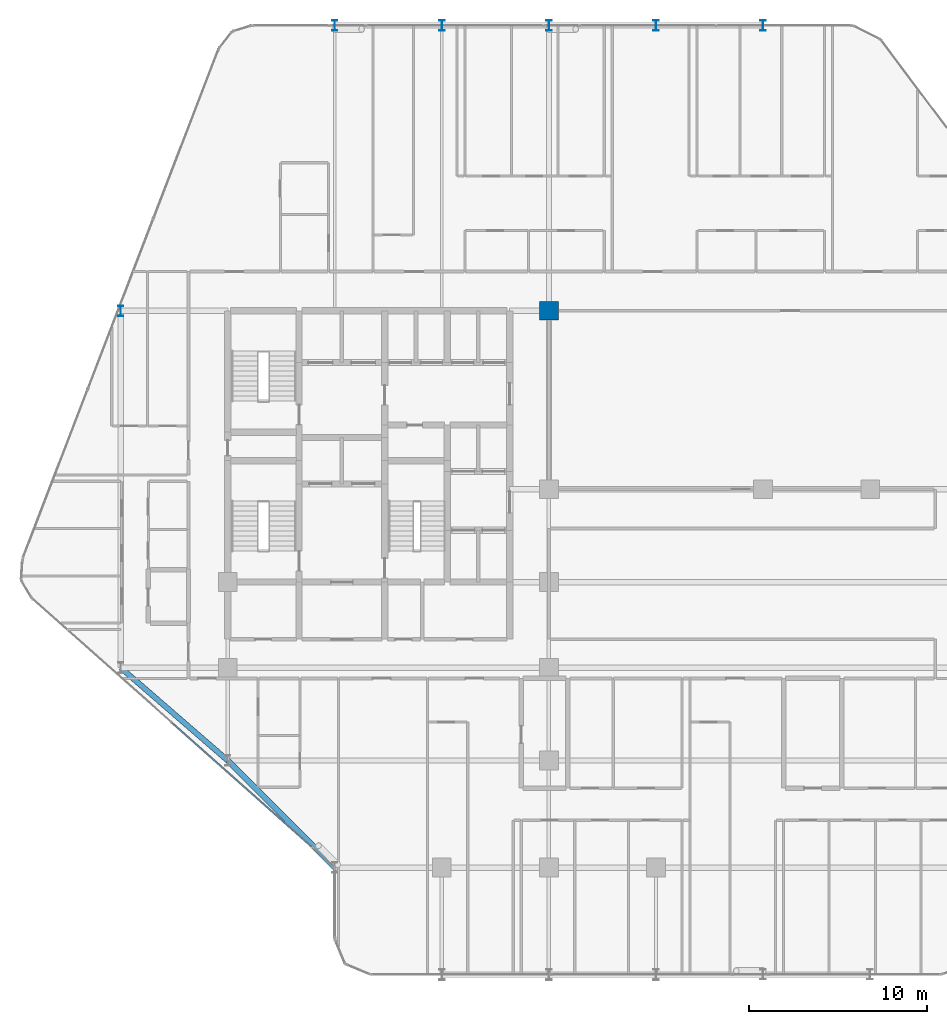
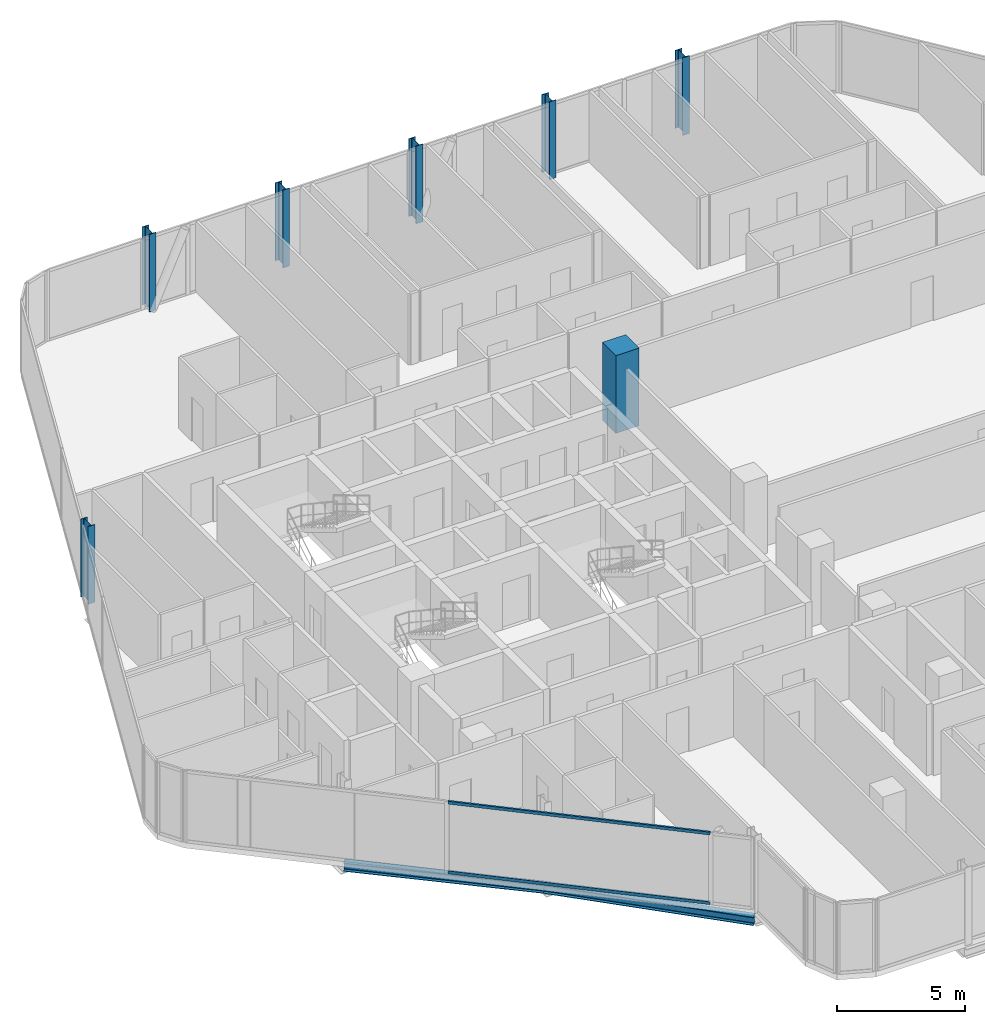
# One storey, part 2 of 29: 7 columns, 2 beams, 2 members, 1 element without a shape of its own.
"""IFC4 building model written with IfcOpenShell, lengths in metres."""

from ifc_helpers import new_model, si_unit, direction, frame, origin, origin_2d, place, context, subcontext, project, spatial, rectangle, hollow_rectangle, i_section, extrude, material, layer, layer_set, material_profile, profile_set, type_object, element, aggregate, save


model = new_model("IFC4")

# Units and contexts
model_context = context("Model", 3, precision=1e-05, world=origin(), true_north=direction((0.0, 1.0)))
body_context = subcontext(model_context, "Body", "Model", "MODEL_VIEW")
ifc_project = project(units=[si_unit("LENGTHUNIT", "METRE"), si_unit("AREAUNIT", "SQUARE_METRE"), si_unit("VOLUMEUNIT", "CUBIC_METRE"), si_unit("PLANEANGLEUNIT", "RADIAN"), si_unit("MASSUNIT", "GRAM", prefix="KILO")], contexts=[model_context])

# Site, building, storey
site_placement = place(None, origin())
site = spatial("IfcSite", under=ifc_project, at=site_placement, CompositionType="ELEMENT")
building_placement = place(site_placement, origin())
building = spatial("IfcBuilding", under=site, at=building_placement, Name="Keshet Zoharim Tower", CompositionType="ELEMENT")
storey_placement = place(building_placement, frame((0.0, 0.0, 105.699951171875)))
storey = spatial("IfcBuildingStorey", under=building, at=storey_placement, Name="L25", CompositionType="ELEMENT", Elevation=105.699951171875)

# Columns
ifc_material_1 = material(Name="Steel S355", Category="steel")
ifc_material_profile_1 = material_profile(ifc_material_1, i_section(OverallWidth=0.300048828125, OverallDepth=0.60009765625, WebThickness=0.015380859375, FlangeThickness=0.030029296875, FilletRadius=0.027099609375, at=origin_2d()), Name="HEB600")
ifc_profile_set_1 = profile_set([ifc_material_profile_1], Name="Steel S355")
column_type_1 = type_object("IfcColumnType", Name="COL-HEB600", PredefinedType="COLUMN", material=ifc_profile_set_1)
for number, where, z_axis, x_axis, name in (
    (1, (9.0, 37.89990234375, 0.0), (0.0, 0.0, 1.0), (1.0, 0.0, 0.0), "L25 Column 2H"),
    (2, (21.0, 53.89990234375, 0.0), (0.0, 0.0, 1.0), (1.0, 0.0, 0.0), "L25 Column 4L"),
    (3, (27.0, 53.89990234375, 0.0), (0.0, 0.0, 1.0), (1.0, 0.0, 0.0), "L25 Column 5L"),
    (4, (33.0, 53.89990234375, 0.0), (0.0, 0.0, 1.0), (1.0, 0.0, 0.0), "L25 Column 6L"),
    (5, (39.0, 53.89990234375, 0.0), (0.0, 0.0, 1.0), (1.0, 0.0, 0.0), "L25 Column 7L"),
    (6, (45.0, 53.89990234375, 0.0), (0.0, 0.0, 1.0), (1.0, 0.0, 0.0), "L25 Column 8L"),
):
    element("IfcColumn", number, at=place(storey_placement, frame(where, z_axis=z_axis, x_axis=x_axis)), inside=storey, type_object=column_type_1, Name=name, PredefinedType="COLUMN", context=body_context, shape_type="SweptSolid", body=[
        extrude(i_section(OverallWidth=0.300048828125, OverallDepth=0.60009765625, WebThickness=0.015380859375, FlangeThickness=0.030029296875, FilletRadius=0.027099609375, at=origin_2d()), origin(), (0.0, 0.0, 1.0), 3.699951171875),
    ])
ifc_material_2 = material(Name="Concrete C60/75", Category="concrete")
ifc_material_profile_2 = material_profile(ifc_material_2, rectangle(XDim=1.050048828125, YDim=1.050048828125, at=origin_2d()), Name="RC1050x1050")
ifc_profile_set_2 = profile_set([ifc_material_profile_2], Name="Concrete C60/75")
column_type_2 = type_object("IfcColumnType", Name="COL-RC1050", PredefinedType="COLUMN", material=ifc_profile_set_2)
column_placement = place(storey_placement, frame((33.0, 37.89990234375, 0.0), z_axis=(0.0, 0.0, 1.0), x_axis=(1.0, 0.0, 0.0)))
element("IfcColumn", 7, at=column_placement, inside=storey, type_object=column_type_2, Name="L25 Column 6H", PredefinedType="COLUMN", context=body_context, shape_type="SweptSolid", body=[
    extrude(rectangle(XDim=1.050048828125, YDim=1.050048828125, at=origin_2d()), origin(), (0.0, 0.0, 1.0), 3.699951171875),
])

# Beams
ifc_material_profile_3 = material_profile(ifc_material_1, i_section(OverallWidth=0.300048828125, OverallDepth=0.39990234375, WebThickness=0.013427734375, FlangeThickness=0.02392578125, FilletRadius=0.027099609375, at=origin_2d()), Name="HEB400")
ifc_profile_set_3 = profile_set([ifc_material_profile_3], Name="Steel S355")
beam_type = type_object("IfcBeamType", Name="BM-SPN-HB400", PredefinedType="SPANDREL", material=ifc_profile_set_3)
beam_1_placement = place(storey_placement, frame((21.0, 6.699951171875, -0.514892578125), z_axis=(-0.707106781187, 0.707106781187, 0.0), x_axis=(-0.707106781187, -0.707106781187, 0.0)))
element("IfcBeam", 8, at=beam_1_placement, inside=storey, type_object=beam_type, Name="L25 Perimeter Spandrel Beam 01", PredefinedType="SPANDREL", context=body_context, shape_type="SweptSolid", body=[
    extrude(i_section(OverallWidth=0.300048828125, OverallDepth=0.39990234375, WebThickness=0.013427734375, FlangeThickness=0.02392578125, FilletRadius=0.027099609375, at=origin_2d()), origin(), (0.0, 0.0, 1.0), 8.4853515625),
])
beam_2_placement = place(storey_placement, frame((9.0, 17.89990234375, -0.514892578125), z_axis=(0.755692126483, -0.654927026447, 0.0), x_axis=(0.654927026447, 0.755692126483, 0.0)))
element("IfcBeam", 9, at=beam_2_placement, inside=storey, type_object=beam_type, Name="L25 Perimeter Spandrel Beam 02", PredefinedType="SPANDREL", context=body_context, shape_type="SweptSolid", body=[
    extrude(i_section(OverallWidth=0.300048828125, OverallDepth=0.39990234375, WebThickness=0.013427734375, FlangeThickness=0.02392578125, FilletRadius=0.027099609375, at=origin_2d()), origin(), (0.0, 0.0, 1.0), 7.939697265625),
])

# Curtain wall, members
ifc_material_3 = material(Name="Aluminium 6063-T6", Category="aluminium")
ifc_layer = layer(ifc_material_3, 0.159912109375)
ifc_layer_set = layer_set([ifc_layer], Name="Aluminium 6063-T6")
curtain_wall_type = type_object("IfcCurtainWallType", Name="CW-SYS-03", PredefinedType="NOTDEFINED", material=ifc_layer_set)
curtain_wall_placement = place(storey_placement, origin())
curtain_wall = element("IfcCurtainWall", 10, at=curtain_wall_placement, inside=storey, type_object=curtain_wall_type, Name="L25 Unitised Curtain Wall 07 Part 2", PredefinedType="NOTDEFINED")
ifc_material_profile_4 = material_profile(ifc_material_3, hollow_rectangle(XDim=0.080078125, YDim=0.139892578125, WallThickness=0.00390625, at=origin_2d()), Name="TRN-80x140")
ifc_profile_set_4 = profile_set([ifc_material_profile_4], Name="Aluminium 6063-T6")
member_type = type_object("IfcMemberType", Name="CWT-T14", PredefinedType="USERDEFINED", material=ifc_profile_set_4)
member_1_placement = place(storey_placement, frame((19.684326171875, 7.869384765625, 0.03515625), z_axis=(-0.747406736814, 0.664366743421, 0.0), x_axis=(-0.664366743421, -0.747406736814, 0.0)))
member_1 = element("IfcMember", 11, at=member_1_placement, type_object=member_type, Name="CW-03 transom 1.1", ObjectType="TRANSOM", PredefinedType="USERDEFINED", context=body_context, shape_type="SweptSolid", body=[
    extrude(hollow_rectangle(XDim=0.080078125, YDim=0.139892578125, WallThickness=0.00390625, at=origin_2d()), origin(), (0.0, 0.0, 1.0), 10.43408203125),
])
member_2_placement = place(storey_placement, frame((19.684326171875, 7.869384765625, 3.35009765625), z_axis=(-0.747406736814, 0.664366743421, 0.0), x_axis=(-0.664366743421, -0.747406736814, 0.0)))
member_2 = element("IfcMember", 12, at=member_2_placement, type_object=member_type, Name="CW-03 transom 1.2", ObjectType="TRANSOM", PredefinedType="USERDEFINED", context=body_context, shape_type="SweptSolid", body=[
    extrude(hollow_rectangle(XDim=0.080078125, YDim=0.139892578125, WallThickness=0.00390625, at=origin_2d()), origin(), (0.0, 0.0, 1.0), 10.43408203125),
])
aggregate(curtain_wall, [member_1, member_2])

save(model, "model.ifc")
